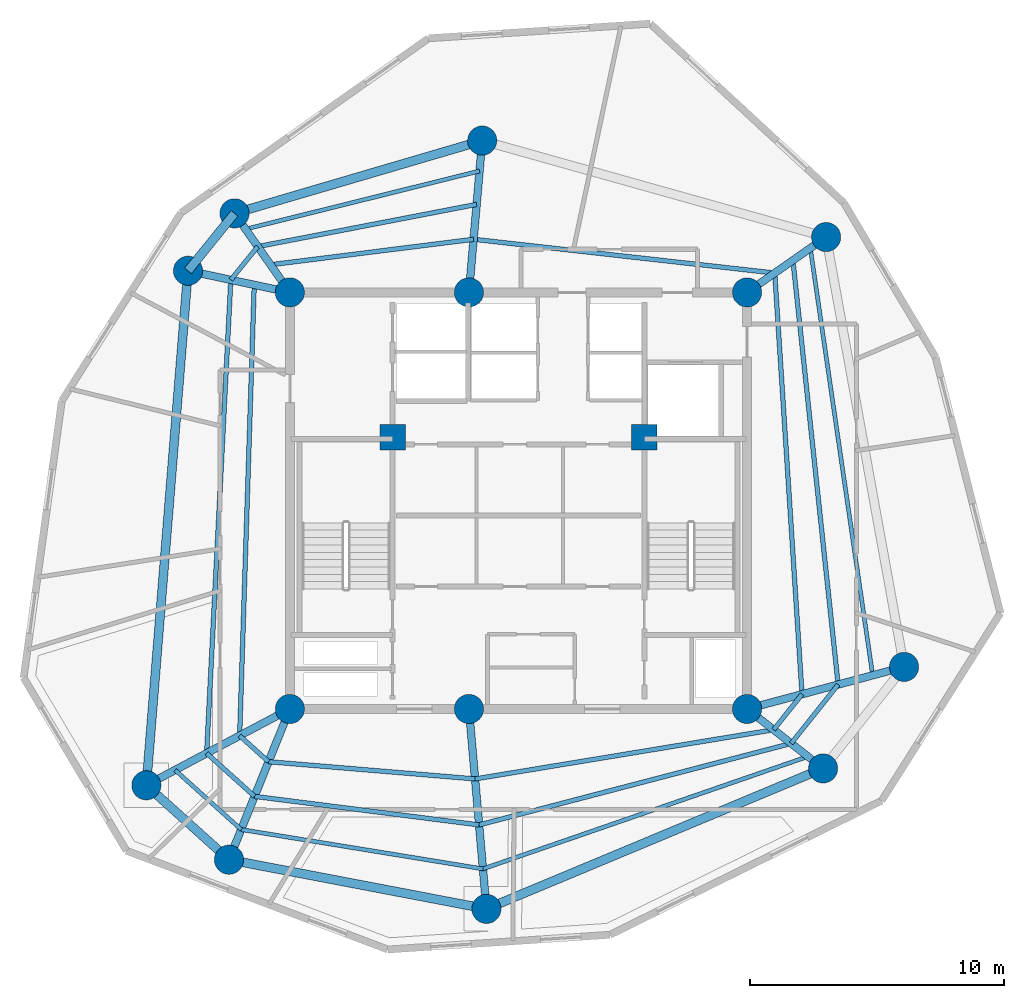
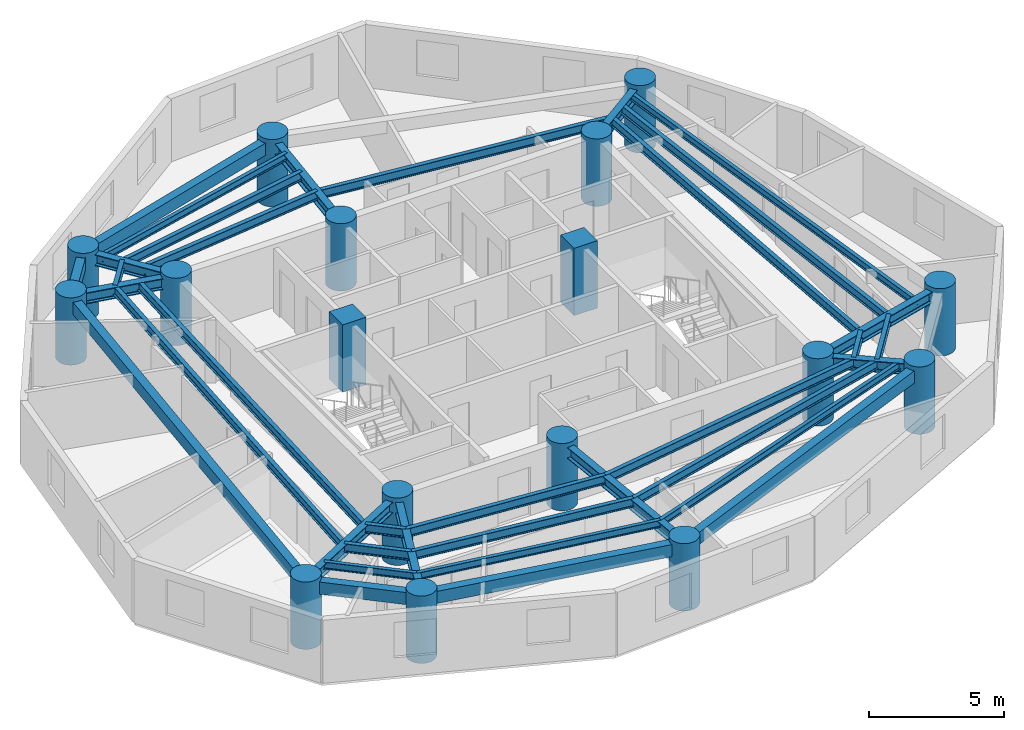
# One storey, part 1 of 6: 36 beams, 17 columns.
"""IFC4 building model written with IfcOpenShell, lengths in metres."""

from ifc_helpers import new_model, si_unit, direction, frame, origin, origin_with_axes, origin_2d, place, context, subcontext, project, spatial, rectangle, circle, i_section, extrude, source, transform, mapped, material, material_profile, profile_set, type_object, element, save


model = new_model("IFC4")

# Units and contexts
model_context = context("Model", 3, precision=1e-05, world=origin(), true_north=direction((0.0, 1.0)))
body_context = subcontext(model_context, "Body", "Model", "MODEL_VIEW")
ifc_project = project(units=[si_unit("LENGTHUNIT", "METRE"), si_unit("AREAUNIT", "SQUARE_METRE"), si_unit("VOLUMEUNIT", "CUBIC_METRE"), si_unit("PLANEANGLEUNIT", "RADIAN"), si_unit("MASSUNIT", "GRAM", prefix="KILO")], contexts=[model_context])

# Site, building, storey
site_placement = place(None, origin())
site = spatial("IfcSite", under=ifc_project, at=site_placement, CompositionType="ELEMENT")
building_placement = place(site_placement, origin())
building = spatial("IfcBuilding", under=site, at=building_placement, Name="Karkom Vertical University and Central Library", CompositionType="ELEMENT")
storey_placement = place(building_placement, frame((0.0, 0.0, 262.64990234375)))
storey = spatial("IfcBuildingStorey", under=building, at=storey_placement, Name="L78", CompositionType="ELEMENT", Elevation=262.64990234375)

# Columns
ifc_material_1 = material(Name="Concrete C50/60", Category="concrete")
ifc_material_profile_1 = material_profile(ifc_material_1, rectangle(XDim=1.0, YDim=1.0, at=origin_2d()), Name="RC-1000x1000")
ifc_profile_set_1 = profile_set([ifc_material_profile_1], Name="Concrete C50/60")
column_type_1 = type_object("IfcColumnType", Name="STR-COL-C-CC2", PredefinedType="COLUMN", material=ifc_profile_set_1)
shared_shape_1 = source(origin_with_axes(), body_context, "Body", "SweptSolid", [
    extrude(rectangle(XDim=1.0, YDim=1.0, at=origin_2d()), origin(), (0.0, 0.0, 1.0), 3.050048828125),
])
for number, where, z_axis, x_axis, name in (
    (1, (23.550048828125, 29.0, 0.0), (0.0, 0.0, 1.0), (1.0, 0.0, 0.0), "Level 78 Core Node Column CC-1"),
    (2, (33.449951171875, 29.0, 0.0), (0.0, 0.0, 1.0), (1.0, 0.0, 0.0), "Level 78 Core Node Column CC-2"),
):
    element("IfcColumn", number, at=place(storey_placement, frame(where, z_axis=z_axis, x_axis=x_axis)), inside=storey, type_object=column_type_1, Name=name, PredefinedType="COLUMN", context=body_context, shape_type="MappedRepresentation", body=[
        mapped(shared_shape_1, transform((0.0, 0.0, 0.0), scale=1.0)),
    ])
ifc_material_2 = material(Name="Concrete C45/55", Category="concrete")
ifc_material_profile_2 = material_profile(ifc_material_2, circle(Radius=0.574951171875, at=origin_2d()), Name="CFT-D1150")
ifc_profile_set_2 = profile_set([ifc_material_profile_2], Name="Concrete C45/55")
column_type_2 = type_object("IfcColumnType", Name="STR-COL-C-SC5", PredefinedType="COLUMN", material=ifc_profile_set_2)
shared_shape_2 = source(origin_with_axes(), body_context, "Body", "SweptSolid", [
    extrude(circle(Radius=0.574951171875, at=origin_2d()), origin(), (0.0, 0.0, 1.0), 3.050048828125),
])
for number, where, z_axis, x_axis, name in (
    (3, (19.5, 18.300048828125, 0.0), (0.0, 0.0, 1.0), (1.0, 0.0, 0.0), "Level 78 Spine Mega-Column SC-1"),
    (4, (26.550048828125, 18.300048828125, 0.0), (0.0, 0.0, 1.0), (1.0, 0.0, 0.0), "Level 78 Spine Mega-Column SC-2"),
    (5, (37.5, 18.300048828125, 0.0), (0.0, 0.0, 1.0), (1.0, 0.0, 0.0), "Level 78 Spine Mega-Column SC-3"),
    (6, (19.5, 34.699951171875, 0.0), (0.0, 0.0, 1.0), (1.0, 0.0, 0.0), "Level 78 Spine Mega-Column SC-4"),
    (7, (26.550048828125, 34.699951171875, 0.0), (0.0, 0.0, 1.0), (1.0, 0.0, 0.0), "Level 78 Spine Mega-Column SC-5"),
    (8, (37.5, 34.699951171875, 0.0), (0.0, 0.0, 1.0), (1.0, 0.0, 0.0), "Level 78 Spine Mega-Column SC-6"),
    (9, (43.681884765625, 19.9560546875, 0.0), (0.0, 0.0, 1.0), (1.0, 0.0, 0.0), "Level 78 Perimeter Mega-Column Z4-PC1"),
    (10, (40.613037109375, 36.8798828125, 0.0), (0.0, 0.0, 1.0), (1.0, 0.0, 0.0), "Level 78 Perimeter Mega-Column Z4-PC2"),
    (11, (27.072998046875, 40.677001953125, 0.0), (0.0, 0.0, 1.0), (1.0, 0.0, 0.0), "Level 78 Perimeter Mega-Column Z4-PC3"),
    (12, (17.320068359375, 37.81298828125, 0.0), (0.0, 0.0, 1.0), (1.0, 0.0, 0.0), "Level 78 Perimeter Mega-Column Z4-PC4"),
    (13, (15.489990234375, 35.552001953125, 0.0), (0.0, 0.0, 1.0), (1.0, 0.0, 0.0), "Level 78 Perimeter Mega-Column Z4-PC5"),
    (14, (13.84912109375, 15.294921875, 0.0), (0.0, 0.0, 1.0), (1.0, 0.0, 0.0), "Level 78 Perimeter Mega-Column Z4-PC6"),
    (15, (17.10302734375, 12.365966796875, 0.0), (0.0, 0.0, 1.0), (1.0, 0.0, 0.0), "Level 78 Perimeter Mega-Column Z4-PC7"),
    (16, (27.239013671875, 10.429931640625, 0.0), (0.0, 0.0, 1.0), (1.0, 0.0, 0.0), "Level 78 Perimeter Mega-Column Z4-PC8"),
    (17, (40.493896484375, 15.9599609375, 0.0), (0.0, 0.0, 1.0), (1.0, 0.0, 0.0), "Level 78 Perimeter Mega-Column Z4-PC9"),
):
    element("IfcColumn", number, at=place(storey_placement, frame(where, z_axis=z_axis, x_axis=x_axis)), inside=storey, type_object=column_type_2, Name=name, PredefinedType="COLUMN", context=body_context, shape_type="MappedRepresentation", body=[
        mapped(shared_shape_2, transform((0.0, 0.0, 0.0), scale=1.0)),
    ])

# Beams
ifc_material_3 = material(Name="Precast concrete C45/55", Category="concrete")
ifc_material_profile_3 = material_profile(ifc_material_3, rectangle(XDim=0.35009765625, YDim=0.550048828125, at=origin_2d()), Name="SPB-350x550")
ifc_profile_set_3 = profile_set([ifc_material_profile_3], Name="Precast concrete C45/55")
beam_type_1 = type_object("IfcBeamType", Name="STR-BM-SP-2", PredefinedType="SPANDREL", material=ifc_profile_set_3)
shared_shape_3 = source(origin_with_axes(), body_context, "Body", "SweptSolid", [
    extrude(rectangle(XDim=0.35009765625, YDim=0.550048828125, at=origin_2d()), origin(), (0.0, 0.0, 1.0), 10.164794921875),
])
beam_1_placement = place(storey_placement, frame((27.072998046875, 40.677001953125, 2.5751953125), z_axis=(-0.959485124536, -0.281759286971, 0.0), x_axis=(0.281759286971, -0.959485124536, 0.0)))
element("IfcBeam", 18, at=beam_1_placement, inside=storey, type_object=beam_type_1, Name="Level 78 Perimeter Spandrel Beam 03", PredefinedType="SPANDREL", context=body_context, shape_type="MappedRepresentation", body=[
    mapped(shared_shape_3, transform((0.0, 0.0, 0.0), scale=1.0)),
])
shared_shape_4 = source(origin_with_axes(), body_context, "Body", "SweptSolid", [
    extrude(rectangle(XDim=0.35009765625, YDim=0.550048828125, at=origin_2d()), origin(), (0.0, 0.0, 1.0), 2.908935546875),
])
beam_2_placement = place(storey_placement, frame((17.320068359375, 37.81298828125, 2.5751953125), z_axis=(-0.629147523747, -0.777285914811, 0.0), x_axis=(0.777285914811, -0.629147523747, 0.0)))
element("IfcBeam", 19, at=beam_2_placement, inside=storey, type_object=beam_type_1, Name="Level 78 Perimeter Spandrel Beam 04", PredefinedType="SPANDREL", context=body_context, shape_type="MappedRepresentation", body=[
    mapped(shared_shape_4, transform((0.0, 0.0, 0.0), scale=1.0)),
])
shared_shape_5 = source(origin_with_axes(), body_context, "Body", "SweptSolid", [
    extrude(rectangle(XDim=0.35009765625, YDim=0.550048828125, at=origin_2d()), origin(), (0.0, 0.0, 1.0), 20.323486328125),
])
beam_3_placement = place(storey_placement, frame((15.489990234375, 35.552001953125, 2.5751953125), z_axis=(-0.080737811681, -0.996735373991, 0.0), x_axis=(0.996735373991, -0.080737811681, 0.0)))
element("IfcBeam", 20, at=beam_3_placement, inside=storey, type_object=beam_type_1, Name="Level 78 Perimeter Spandrel Beam 05", PredefinedType="SPANDREL", context=body_context, shape_type="MappedRepresentation", body=[
    mapped(shared_shape_5, transform((0.0, 0.0, 0.0), scale=1.0)),
])
shared_shape_6 = source(origin_with_axes(), body_context, "Body", "SweptSolid", [
    extrude(rectangle(XDim=0.35009765625, YDim=0.550048828125, at=origin_2d()), origin(), (0.0, 0.0, 1.0), 4.3779296875),
])
beam_4_placement = place(storey_placement, frame((13.84912109375, 15.294921875, 2.5751953125), z_axis=(0.743244232405, -0.669020187287, 0.0), x_axis=(0.669020187287, 0.743244232405, 0.0)))
element("IfcBeam", 21, at=beam_4_placement, inside=storey, type_object=beam_type_1, Name="Level 78 Perimeter Spandrel Beam 06", PredefinedType="SPANDREL", context=body_context, shape_type="MappedRepresentation", body=[
    mapped(shared_shape_6, transform((0.0, 0.0, 0.0), scale=1.0)),
])
shared_shape_7 = source(origin_with_axes(), body_context, "Body", "SweptSolid", [
    extrude(rectangle(XDim=0.35009765625, YDim=0.550048828125, at=origin_2d()), origin(), (0.0, 0.0, 1.0), 10.3193359375),
])
beam_5_placement = place(storey_placement, frame((17.10302734375, 12.365966796875, 2.5751953125), z_axis=(0.982242767385, -0.187614354249, 0.0), x_axis=(0.187614354249, 0.982242767385, 0.0)))
element("IfcBeam", 22, at=beam_5_placement, inside=storey, type_object=beam_type_1, Name="Level 78 Perimeter Spandrel Beam 07", PredefinedType="SPANDREL", context=body_context, shape_type="MappedRepresentation", body=[
    mapped(shared_shape_7, transform((0.0, 0.0, 0.0), scale=1.0)),
])
shared_shape_8 = source(origin_with_axes(), body_context, "Body", "SweptSolid", [
    extrude(rectangle(XDim=0.35009765625, YDim=0.550048828125, at=origin_2d()), origin(), (0.0, 0.0, 1.0), 14.3623046875),
])
beam_6_placement = place(storey_placement, frame((27.239013671875, 10.429931640625, 2.5751953125), z_axis=(0.922899796194, 0.385040213725, 0.0), x_axis=(-0.385040213725, 0.922899796194, 0.0)))
element("IfcBeam", 23, at=beam_6_placement, inside=storey, type_object=beam_type_1, Name="Level 78 Perimeter Spandrel Beam 08", PredefinedType="SPANDREL", context=body_context, shape_type="MappedRepresentation", body=[
    mapped(shared_shape_8, transform((0.0, 0.0, 0.0), scale=1.0)),
])
ifc_material_4 = material(Name="Steel S355", Category="steel")
ifc_material_profile_4 = material_profile(ifc_material_4, i_section(OverallWidth=0.179931640625, OverallDepth=0.39990234375, WebThickness=0.008544921875, FlangeThickness=0.013427734375, FilletRadius=0.02099609375, at=origin_2d()), Name="IPE 400")
ifc_profile_set_4 = profile_set([ifc_material_profile_4], Name="Steel S355")
beam_type_2 = type_object("IfcBeamType", Name="STR-BM-SB-IPE400", PredefinedType="BEAM", material=ifc_profile_set_4)
shared_shape_9 = source(origin_with_axes(), body_context, "Body", "SweptSolid", [
    extrude(i_section(OverallWidth=0.179931640625, OverallDepth=0.39990234375, WebThickness=0.008544921875, FlangeThickness=0.013427734375, FilletRadius=0.02099609375, at=origin_2d()), origin(), (0.0, 0.0, 1.0), 16.617919921875),
])
beam_7_placement = place(storey_placement, frame((39.663818359375, 18.879638671875, 2.650146484375), z_axis=(-0.064641848008, 0.997908528617, 0.0), x_axis=(-0.997908528617, -0.064641848008, 0.0)))
element("IfcBeam", 24, at=beam_7_placement, inside=storey, type_object=beam_type_2, Name="Level 78 Secondary Composite Floor Beam 1.01", PredefinedType="BEAM", context=body_context, shape_type="MappedRepresentation", body=[
    mapped(shared_shape_9, transform((0.0, 0.0, 0.0), scale=1.0)),
])
shared_shape_10 = source(origin_with_axes(), body_context, "Body", "SweptSolid", [
    extrude(i_section(OverallWidth=0.179931640625, OverallDepth=0.39990234375, WebThickness=0.008544921875, FlangeThickness=0.013427734375, FilletRadius=0.02099609375, at=origin_2d()), origin(), (0.0, 0.0, 1.0), 11.9306640625),
])
beam_8_placement = place(storey_placement, frame((38.589599609375, 35.462890625, 2.650146484375), z_axis=(-0.993775454886, 0.11140172919, 0.0), x_axis=(-0.11140172919, -0.993775454886, 0.0)))
element("IfcBeam", 25, at=beam_8_placement, inside=storey, type_object=beam_type_2, Name="Level 78 Secondary Composite Floor Beam 1.02", PredefinedType="BEAM", context=body_context, shape_type="MappedRepresentation", body=[
    mapped(shared_shape_10, transform((0.0, 0.0, 0.0), scale=1.0)),
])
shared_shape_11 = source(origin_with_axes(), body_context, "Body", "SweptSolid", [
    extrude(i_section(OverallWidth=0.179931640625, OverallDepth=0.39990234375, WebThickness=0.008544921875, FlangeThickness=0.013427734375, FilletRadius=0.02099609375, at=origin_2d()), origin(), (0.0, 0.0, 1.0), 8.05859375),
])
beam_9_placement = place(storey_placement, frame((26.733154296875, 36.7919921875, 2.650146484375), z_axis=(-0.99223306826, -0.124392677646, 0.0), x_axis=(0.124392677646, -0.99223306826, 0.0)))
element("IfcBeam", 26, at=beam_9_placement, inside=storey, type_object=beam_type_2, Name="Level 78 Secondary Composite Floor Beam 1.03", PredefinedType="BEAM", context=body_context, shape_type="MappedRepresentation", body=[
    mapped(shared_shape_11, transform((0.0, 0.0, 0.0), scale=1.0)),
])
shared_shape_12 = source(origin_with_axes(), body_context, "Body", "SweptSolid", [
    extrude(i_section(OverallWidth=0.179931640625, OverallDepth=0.39990234375, WebThickness=0.008544921875, FlangeThickness=0.013427734375, FilletRadius=0.02099609375, at=origin_2d()), origin(), (0.0, 0.0, 1.0), 17.75927734375),
])
beam_10_placement = place(storey_placement, frame((18.096435546875, 34.998291015625, 2.650146484375), z_axis=(-0.032333437334, -0.999477137723, 0.0), x_axis=(0.999477137723, -0.032333437334, 0.0)))
element("IfcBeam", 27, at=beam_10_placement, inside=storey, type_object=beam_type_2, Name="Level 78 Secondary Composite Floor Beam 1.05", PredefinedType="BEAM", context=body_context, shape_type="MappedRepresentation", body=[
    mapped(shared_shape_12, transform((0.0, 0.0, 0.0), scale=1.0)),
])
shared_shape_13 = source(origin_with_axes(), body_context, "Body", "SweptSolid", [
    extrude(i_section(OverallWidth=0.179931640625, OverallDepth=0.39990234375, WebThickness=0.008544921875, FlangeThickness=0.013427734375, FilletRadius=0.02099609375, at=origin_2d()), origin(), (0.0, 0.0, 1.0), 1.5322265625),
])
beam_11_placement = place(storey_placement, frame((17.522216796875, 17.248291015625, 2.650146484375), z_axis=(0.743183211059, -0.669087972392, 0.0), x_axis=(0.669087972392, 0.743183211059, 0.0)))
element("IfcBeam", 28, at=beam_11_placement, inside=storey, type_object=beam_type_2, Name="Level 78 Secondary Composite Floor Beam 1.06", PredefinedType="BEAM", context=body_context, shape_type="MappedRepresentation", body=[
    mapped(shared_shape_13, transform((0.0, 0.0, 0.0), scale=1.0)),
])
shared_shape_14 = source(origin_with_axes(), body_context, "Body", "SweptSolid", [
    extrude(i_section(OverallWidth=0.179931640625, OverallDepth=0.39990234375, WebThickness=0.008544921875, FlangeThickness=0.013427734375, FilletRadius=0.02099609375, at=origin_2d()), origin(), (0.0, 0.0, 1.0), 8.15869140625),
])
beam_12_placement = place(storey_placement, frame((18.660888671875, 16.22314453125, 2.650146484375), z_axis=(0.996543694183, -0.083070244882, 0.0), x_axis=(0.083070244882, 0.996543694183, 0.0)))
element("IfcBeam", 29, at=beam_12_placement, inside=storey, type_object=beam_type_2, Name="Level 78 Secondary Composite Floor Beam 1.07", PredefinedType="BEAM", context=body_context, shape_type="MappedRepresentation", body=[
    mapped(shared_shape_14, transform((0.0, 0.0, 0.0), scale=1.0)),
])
shared_shape_15 = source(origin_with_axes(), body_context, "Body", "SweptSolid", [
    extrude(i_section(OverallWidth=0.179931640625, OverallDepth=0.39990234375, WebThickness=0.008544921875, FlangeThickness=0.013427734375, FilletRadius=0.02099609375, at=origin_2d()), origin(), (0.0, 0.0, 1.0), 11.914794921875),
])
beam_13_placement = place(storey_placement, frame((26.791259765625, 15.54541015625, 2.650146484375), z_axis=(0.986717073469, 0.162448197663, 0.0), x_axis=(-0.162448197663, 0.986717073469, 0.0)))
element("IfcBeam", 30, at=beam_13_placement, inside=storey, type_object=beam_type_2, Name="Level 78 Secondary Composite Floor Beam 1.08", PredefinedType="BEAM", context=body_context, shape_type="MappedRepresentation", body=[
    mapped(shared_shape_15, transform((0.0, 0.0, 0.0), scale=1.0)),
])
shared_shape_16 = source(origin_with_axes(), body_context, "Body", "SweptSolid", [
    extrude(i_section(OverallWidth=0.179931640625, OverallDepth=0.39990234375, WebThickness=0.008544921875, FlangeThickness=0.013427734375, FilletRadius=0.02099609375, at=origin_2d()), origin(), (0.0, 0.0, 1.0), 1.789306640625),
])
beam_14_placement = place(storey_placement, frame((38.5478515625, 17.48095703125, 2.650146484375), z_axis=(0.623679519349, 0.781680150154, 0.0), x_axis=(-0.781680150154, 0.623679519349, 0.0)))
element("IfcBeam", 31, at=beam_14_placement, inside=storey, type_object=beam_type_2, Name="Level 78 Secondary Composite Floor Beam 1.09", PredefinedType="BEAM", context=body_context, shape_type="MappedRepresentation", body=[
    mapped(shared_shape_16, transform((0.0, 0.0, 0.0), scale=1.0)),
])
shared_shape_17 = source(origin_with_axes(), body_context, "Body", "SweptSolid", [
    extrude(i_section(OverallWidth=0.179931640625, OverallDepth=0.39990234375, WebThickness=0.008544921875, FlangeThickness=0.013427734375, FilletRadius=0.02099609375, at=origin_2d()), origin(), (0.0, 0.0, 1.0), 16.79833984375),
])
beam_15_placement = place(storey_placement, frame((41.085693359375, 19.260498046875, 2.650146484375), z_axis=(-0.105978377704, 0.994368434464, 0.0), x_axis=(-0.994368434464, -0.105978377704, 0.0)))
element("IfcBeam", 32, at=beam_15_placement, inside=storey, type_object=beam_type_2, Name="Level 78 Secondary Composite Floor Beam 2.01", PredefinedType="BEAM", context=body_context, shape_type="MappedRepresentation", body=[
    mapped(shared_shape_17, transform((0.0, 0.0, 0.0), scale=1.0)),
])
shared_shape_18 = source(origin_with_axes(), body_context, "Body", "SweptSolid", [
    extrude(i_section(OverallWidth=0.179931640625, OverallDepth=0.39990234375, WebThickness=0.008544921875, FlangeThickness=0.013427734375, FilletRadius=0.02099609375, at=origin_2d()), origin(), (0.0, 0.0, 1.0), 8.7763671875),
])
beam_16_placement = place(storey_placement, frame((26.853271484375, 38.166748046875, 2.650146484375), z_axis=(-0.981924209256, -0.189274528862, 0.0), x_axis=(0.189274528862, -0.981924209256, 0.0)))
element("IfcBeam", 33, at=beam_16_placement, inside=storey, type_object=beam_type_2, Name="Level 78 Secondary Composite Floor Beam 2.03", PredefinedType="BEAM", context=body_context, shape_type="MappedRepresentation", body=[
    mapped(shared_shape_18, transform((0.0, 0.0, 0.0), scale=1.0)),
])
shared_shape_19 = source(origin_with_axes(), body_context, "Body", "SweptSolid", [
    extrude(i_section(OverallWidth=0.179931640625, OverallDepth=0.39990234375, WebThickness=0.008544921875, FlangeThickness=0.013427734375, FilletRadius=0.02099609375, at=origin_2d()), origin(), (0.0, 0.0, 1.0), 1.68701171875),
])
beam_17_placement = place(storey_placement, frame((18.235595703125, 36.505615234375, 2.650146484375), z_axis=(-0.629044191861, -0.777369541908, 0.0), x_axis=(0.777369541908, -0.629044191861, 0.0)))
element("IfcBeam", 34, at=beam_17_placement, inside=storey, type_object=beam_type_2, Name="Level 78 Secondary Composite Floor Beam 2.04", PredefinedType="BEAM", context=body_context, shape_type="MappedRepresentation", body=[
    mapped(shared_shape_19, transform((0.0, 0.0, 0.0), scale=1.0)),
])
shared_shape_20 = source(origin_with_axes(), body_context, "Body", "SweptSolid", [
    extrude(i_section(OverallWidth=0.179931640625, OverallDepth=0.39990234375, WebThickness=0.008544921875, FlangeThickness=0.013427734375, FilletRadius=0.02099609375, at=origin_2d()), origin(), (0.0, 0.0, 1.0), 18.661376953125),
])
beam_18_placement = place(storey_placement, frame((17.17431640625, 35.194091796875, 2.650146484375), z_axis=(-0.051009656211, -0.998698160093, 0.0), x_axis=(0.998698160093, -0.051009656211, 0.0)))
element("IfcBeam", 35, at=beam_18_placement, inside=storey, type_object=beam_type_2, Name="Level 78 Secondary Composite Floor Beam 2.05", PredefinedType="BEAM", context=body_context, shape_type="MappedRepresentation", body=[
    mapped(shared_shape_20, transform((0.0, 0.0, 0.0), scale=1.0)),
])
shared_shape_21 = source(origin_with_axes(), body_context, "Body", "SweptSolid", [
    extrude(i_section(OverallWidth=0.179931640625, OverallDepth=0.39990234375, WebThickness=0.008544921875, FlangeThickness=0.013427734375, FilletRadius=0.02099609375, at=origin_2d()), origin(), (0.0, 0.0, 1.0), 2.5390625),
])
beam_19_placement = place(storey_placement, frame((16.222412109375, 16.55712890625, 2.650146484375), z_axis=(0.743246334517, -0.669017851949, 0.0), x_axis=(0.669017851949, 0.743246334517, 0.0)))
element("IfcBeam", 36, at=beam_19_placement, inside=storey, type_object=beam_type_2, Name="Level 78 Secondary Composite Floor Beam 2.06", PredefinedType="BEAM", context=body_context, shape_type="MappedRepresentation", body=[
    mapped(shared_shape_21, transform((0.0, 0.0, 0.0), scale=1.0)),
])
shared_shape_22 = source(origin_with_axes(), body_context, "Body", "SweptSolid", [
    extrude(i_section(OverallWidth=0.179931640625, OverallDepth=0.39990234375, WebThickness=0.008544921875, FlangeThickness=0.013427734375, FilletRadius=0.02099609375, at=origin_2d()), origin(), (0.0, 0.0, 1.0), 8.9111328125),
])
beam_20_placement = place(storey_placement, frame((18.109619140625, 14.8583984375, 2.650146484375), z_axis=(0.992026771403, -0.126027317751, 0.0), x_axis=(0.126027317751, 0.992026771403, 0.0)))
element("IfcBeam", 37, at=beam_20_placement, inside=storey, type_object=beam_type_2, Name="Level 78 Secondary Composite Floor Beam 2.07", PredefinedType="BEAM", context=body_context, shape_type="MappedRepresentation", body=[
    mapped(shared_shape_22, transform((0.0, 0.0, 0.0), scale=1.0)),
])
shared_shape_23 = source(origin_with_axes(), body_context, "Body", "SweptSolid", [
    extrude(i_section(OverallWidth=0.179931640625, OverallDepth=0.39990234375, WebThickness=0.008544921875, FlangeThickness=0.013427734375, FilletRadius=0.02099609375, at=origin_2d()), origin(), (0.0, 0.0, 1.0), 12.69873046875),
])
beam_21_placement = place(storey_placement, frame((26.94970703125, 13.7353515625, 2.650146484375), z_axis=(0.967573974729, 0.252587813301, 0.0), x_axis=(-0.252587813301, 0.967573974729, 0.0)))
element("IfcBeam", 38, at=beam_21_placement, inside=storey, type_object=beam_type_2, Name="Level 78 Secondary Composite Floor Beam 2.08", PredefinedType="BEAM", context=body_context, shape_type="MappedRepresentation", body=[
    mapped(shared_shape_23, transform((0.0, 0.0, 0.0), scale=1.0)),
])
shared_shape_24 = source(origin_with_axes(), body_context, "Body", "SweptSolid", [
    extrude(i_section(OverallWidth=0.179931640625, OverallDepth=0.39990234375, WebThickness=0.008544921875, FlangeThickness=0.013427734375, FilletRadius=0.02099609375, at=origin_2d()), origin(), (0.0, 0.0, 1.0), 2.96484375),
])
beam_22_placement = place(storey_placement, frame((39.236572265625, 16.94287109375, 2.650146484375), z_axis=(0.623670236397, 0.781687556657, 0.0), x_axis=(-0.781687556657, 0.623670236397, 0.0)))
element("IfcBeam", 39, at=beam_22_placement, inside=storey, type_object=beam_type_2, Name="Level 78 Secondary Composite Floor Beam 2.09", PredefinedType="BEAM", context=body_context, shape_type="MappedRepresentation", body=[
    mapped(shared_shape_24, transform((0.0, 0.0, 0.0), scale=1.0)),
])
ifc_material_profile_5 = material_profile(ifc_material_4, i_section(OverallWidth=0.159912109375, OverallDepth=0.330078125, WebThickness=0.007568359375, FlangeThickness=0.011474609375, FilletRadius=0.01806640625, at=origin_2d()), Name="IPE 330")
ifc_profile_set_5 = profile_set([ifc_material_profile_5], Name="Steel S355")
beam_type_3 = type_object("IfcBeamType", Name="STR-BM-SB-IPE330", PredefinedType="BEAM", material=ifc_profile_set_5)
shared_shape_25 = source(origin_with_axes(), body_context, "Body", "SweptSolid", [
    extrude(i_section(OverallWidth=0.159912109375, OverallDepth=0.330078125, WebThickness=0.007568359375, FlangeThickness=0.011474609375, FilletRadius=0.01806640625, at=origin_2d()), origin(), (0.0, 0.0, 1.0), 16.99755859375),
])
beam_23_placement = place(storey_placement, frame((42.445556640625, 19.624755859375, 2.68505859375), z_axis=(-0.144436985275, 0.98951400055, 0.0), x_axis=(-0.98951400055, -0.144436985275, 0.0)))
element("IfcBeam", 40, at=beam_23_placement, inside=storey, type_object=beam_type_3, Name="Level 78 Secondary Composite Floor Beam 3.01", PredefinedType="BEAM", context=body_context, shape_type="MappedRepresentation", body=[
    mapped(shared_shape_25, transform((0.0, 0.0, 0.0), scale=1.0)),
])
shared_shape_26 = source(origin_with_axes(), body_context, "Body", "SweptSolid", [
    extrude(i_section(OverallWidth=0.159912109375, OverallDepth=0.330078125, WebThickness=0.007568359375, FlangeThickness=0.011474609375, FilletRadius=0.01806640625, at=origin_2d()), origin(), (0.0, 0.0, 1.0), 9.4931640625),
])
beam_24_placement = place(storey_placement, frame((26.968505859375, 39.481689453125, 2.68505859375), z_axis=(-0.970435275293, -0.241361505767, 0.0), x_axis=(0.241361505767, -0.970435275293, 0.0)))
element("IfcBeam", 41, at=beam_24_placement, inside=storey, type_object=beam_type_3, Name="Level 78 Secondary Composite Floor Beam 3.03", PredefinedType="BEAM", context=body_context, shape_type="MappedRepresentation", body=[
    mapped(shared_shape_26, transform((0.0, 0.0, 0.0), scale=1.0)),
])
shared_shape_27 = source(origin_with_axes(), body_context, "Body", "SweptSolid", [
    extrude(i_section(OverallWidth=0.159912109375, OverallDepth=0.330078125, WebThickness=0.007568359375, FlangeThickness=0.011474609375, FilletRadius=0.01806640625, at=origin_2d()), origin(), (0.0, 0.0, 1.0), 3.50244140625),
])
beam_25_placement = place(storey_placement, frame((14.979248046875, 15.89599609375, 2.68505859375), z_axis=(0.743249087562, -0.669014793437, 0.0), x_axis=(0.669014793437, 0.743249087562, 0.0)))
element("IfcBeam", 42, at=beam_25_placement, inside=storey, type_object=beam_type_3, Name="Level 78 Secondary Composite Floor Beam 3.06", PredefinedType="BEAM", context=body_context, shape_type="MappedRepresentation", body=[
    mapped(shared_shape_27, transform((0.0, 0.0, 0.0), scale=1.0)),
])
shared_shape_28 = source(origin_with_axes(), body_context, "Body", "SweptSolid", [
    extrude(i_section(OverallWidth=0.159912109375, OverallDepth=0.330078125, WebThickness=0.007568359375, FlangeThickness=0.011474609375, FilletRadius=0.01806640625, at=origin_2d()), origin(), (0.0, 0.0, 1.0), 9.64404296875),
])
beam_26_placement = place(storey_placement, frame((17.58251953125, 13.552734375, 2.68505859375), z_axis=(0.987019497924, -0.160600469231, 0.0), x_axis=(0.160600469231, 0.987019497924, 0.0)))
element("IfcBeam", 43, at=beam_26_placement, inside=storey, type_object=beam_type_3, Name="Level 78 Secondary Composite Floor Beam 3.07", PredefinedType="BEAM", context=body_context, shape_type="MappedRepresentation", body=[
    mapped(shared_shape_28, transform((0.0, 0.0, 0.0), scale=1.0)),
])
shared_shape_29 = source(origin_with_axes(), body_context, "Body", "SweptSolid", [
    extrude(i_section(OverallWidth=0.159912109375, OverallDepth=0.330078125, WebThickness=0.007568359375, FlangeThickness=0.011474609375, FilletRadius=0.01806640625, at=origin_2d()), origin(), (0.0, 0.0, 1.0), 13.537353515625),
])
beam_27_placement = place(storey_placement, frame((27.101318359375, 12.00390625, 2.68505859375), z_axis=(0.945091088216, 0.32680703018, 0.0), x_axis=(-0.32680703018, 0.945091088216, 0.0)))
element("IfcBeam", 44, at=beam_27_placement, inside=storey, type_object=beam_type_3, Name="Level 78 Secondary Composite Floor Beam 3.08", PredefinedType="BEAM", context=body_context, shape_type="MappedRepresentation", body=[
    mapped(shared_shape_29, transform((0.0, 0.0, 0.0), scale=1.0)),
])
ifc_material_profile_6 = material_profile(ifc_material_4, i_section(OverallWidth=0.300048828125, OverallDepth=0.5, WebThickness=0.014404296875, FlangeThickness=0.028076171875, FilletRadius=0.027099609375, at=origin_2d()), Name="HE 500 B")
ifc_profile_set_6 = profile_set([ifc_material_profile_6], Name="Steel S355")
beam_type_4 = type_object("IfcBeamType", Name="STR-BM-SB-HE500", PredefinedType="USERDEFINED", material=ifc_profile_set_6)
shared_shape_30 = source(origin_with_axes(), body_context, "Body", "SweptSolid", [
    extrude(i_section(OverallWidth=0.300048828125, OverallDepth=0.5, WebThickness=0.014404296875, FlangeThickness=0.028076171875, FilletRadius=0.027099609375, at=origin_2d()), origin(), (0.0, 0.0, 1.0), 6.39990234375),
])
for number, where, z_axis, x_axis, name in (
    (45, (37.5, 18.300048828125, 2.60009765625), (0.965942432948, 0.258757060254, 0.0), (-0.258757060254, 0.965942432948, 0.0), "Level 78 Radial Frame Girder 01"),
    (46, (19.5, 18.300048828125, 2.60009765625), (-0.374532429749, -0.927213815183, 0.0), (0.927213815183, -0.374532429749, 0.0), "Level 78 Radial Frame Girder 07"),
):
    element("IfcBeam", number, at=place(storey_placement, frame(where, z_axis=z_axis, x_axis=x_axis)), inside=storey, type_object=beam_type_4, Name=name, ObjectType="GIRDER", PredefinedType="USERDEFINED", context=body_context, shape_type="MappedRepresentation", body=[
        mapped(shared_shape_30, transform((0.0, 0.0, 0.0), scale=1.0)),
    ])
shared_shape_31 = source(origin_with_axes(), body_context, "Body", "SweptSolid", [
    extrude(i_section(OverallWidth=0.300048828125, OverallDepth=0.5, WebThickness=0.014404296875, FlangeThickness=0.028076171875, FilletRadius=0.027099609375, at=origin_2d()), origin(), (0.0, 0.0, 1.0), 3.80029296875),
])
for number, where, z_axis, x_axis, name in (
    (47, (37.5, 34.699951171875, 2.60009765625), (0.819132313625, 0.573604613627, 0.0), (-0.573604613627, 0.819132313625, 0.0), "Level 78 Radial Frame Girder 02"),
    (48, (19.5, 34.699951171875, 2.60009765625), (-0.573604613627, 0.819132313625, 0.0), (-0.819132313625, -0.573604613627, 0.0), "Level 78 Radial Frame Girder 04"),
):
    element("IfcBeam", number, at=place(storey_placement, frame(where, z_axis=z_axis, x_axis=x_axis)), inside=storey, type_object=beam_type_4, Name=name, ObjectType="GIRDER", PredefinedType="USERDEFINED", context=body_context, shape_type="MappedRepresentation", body=[
        mapped(shared_shape_31, transform((0.0, 0.0, 0.0), scale=1.0)),
    ])
shared_shape_32 = source(origin_with_axes(), body_context, "Body", "SweptSolid", [
    extrude(i_section(OverallWidth=0.300048828125, OverallDepth=0.5, WebThickness=0.014404296875, FlangeThickness=0.028076171875, FilletRadius=0.027099609375, at=origin_2d()), origin(), (0.0, 0.0, 1.0), 6.0),
])
beam_28_placement = place(storey_placement, frame((26.550048828125, 34.699951171875, 2.60009765625), z_axis=(0.087159883478, 0.996194335816, 0.0), x_axis=(-0.996194335816, 0.087159883478, 0.0)))
element("IfcBeam", 49, at=beam_28_placement, inside=storey, type_object=beam_type_4, Name="Level 78 Radial Frame Girder 03", ObjectType="GIRDER", PredefinedType="USERDEFINED", context=body_context, shape_type="MappedRepresentation", body=[
    mapped(shared_shape_32, transform((0.0, 0.0, 0.0), scale=1.0)),
])
shared_shape_33 = source(origin_with_axes(), body_context, "Body", "SweptSolid", [
    extrude(i_section(OverallWidth=0.300048828125, OverallDepth=0.5, WebThickness=0.014404296875, FlangeThickness=0.028076171875, FilletRadius=0.027099609375, at=origin_2d()), origin(), (0.0, 0.0, 1.0), 4.099609375),
])
beam_29_placement = place(storey_placement, frame((19.5, 34.699951171875, 2.60009765625), z_axis=(-0.978162634602, 0.207840949453, 0.0), x_axis=(-0.207840949453, -0.978162634602, 0.0)))
element("IfcBeam", 50, at=beam_29_placement, inside=storey, type_object=beam_type_4, Name="Level 78 Radial Frame Girder 05", ObjectType="GIRDER", PredefinedType="USERDEFINED", context=body_context, shape_type="MappedRepresentation", body=[
    mapped(shared_shape_33, transform((0.0, 0.0, 0.0), scale=1.0)),
])
shared_shape_34 = source(origin_with_axes(), body_context, "Body", "SweptSolid", [
    extrude(i_section(OverallWidth=0.300048828125, OverallDepth=0.5, WebThickness=0.014404296875, FlangeThickness=0.028076171875, FilletRadius=0.027099609375, at=origin_2d()), origin(), (0.0, 0.0, 1.0), 6.400146484375),
])
beam_30_placement = place(storey_placement, frame((19.5, 18.300048828125, 2.60009765625), z_axis=(-0.882915120857, -0.469532628645, 0.0), x_axis=(0.469532628645, -0.882915120857, 0.0)))
element("IfcBeam", 51, at=beam_30_placement, inside=storey, type_object=beam_type_4, Name="Level 78 Radial Frame Girder 06", ObjectType="GIRDER", PredefinedType="USERDEFINED", context=body_context, shape_type="MappedRepresentation", body=[
    mapped(shared_shape_34, transform((0.0, 0.0, 0.0), scale=1.0)),
])
shared_shape_35 = source(origin_with_axes(), body_context, "Body", "SweptSolid", [
    extrude(i_section(OverallWidth=0.300048828125, OverallDepth=0.5, WebThickness=0.014404296875, FlangeThickness=0.028076171875, FilletRadius=0.027099609375, at=origin_2d()), origin(), (0.0, 0.0, 1.0), 7.900146484375),
])
beam_31_placement = place(storey_placement, frame((26.550048828125, 18.300048828125, 2.60009765625), z_axis=(0.087208352312, -0.996190093951, 0.0), x_axis=(0.996190093951, 0.087208352312, 0.0)))
element("IfcBeam", 52, at=beam_31_placement, inside=storey, type_object=beam_type_4, Name="Level 78 Radial Frame Girder 08", ObjectType="GIRDER", PredefinedType="USERDEFINED", context=body_context, shape_type="MappedRepresentation", body=[
    mapped(shared_shape_35, transform((0.0, 0.0, 0.0), scale=1.0)),
])
shared_shape_36 = source(origin_with_axes(), body_context, "Body", "SweptSolid", [
    extrude(i_section(OverallWidth=0.300048828125, OverallDepth=0.5, WebThickness=0.014404296875, FlangeThickness=0.028076171875, FilletRadius=0.027099609375, at=origin_2d()), origin(), (0.0, 0.0, 1.0), 3.7998046875),
])
beam_32_placement = place(storey_placement, frame((37.5, 18.300048828125, 2.60009765625), z_axis=(0.787883114707, -0.61582481077, 0.0), x_axis=(0.61582481077, 0.787883114707, 0.0)))
element("IfcBeam", 53, at=beam_32_placement, inside=storey, type_object=beam_type_4, Name="Level 78 Radial Frame Girder 09", ObjectType="GIRDER", PredefinedType="USERDEFINED", context=body_context, shape_type="MappedRepresentation", body=[
    mapped(shared_shape_36, transform((0.0, 0.0, 0.0), scale=1.0)),
])

save(model, "model.ifc")
